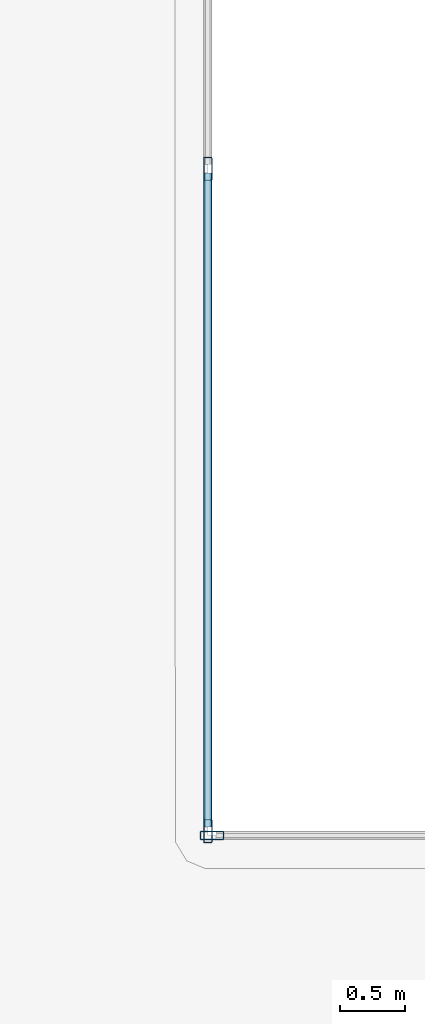
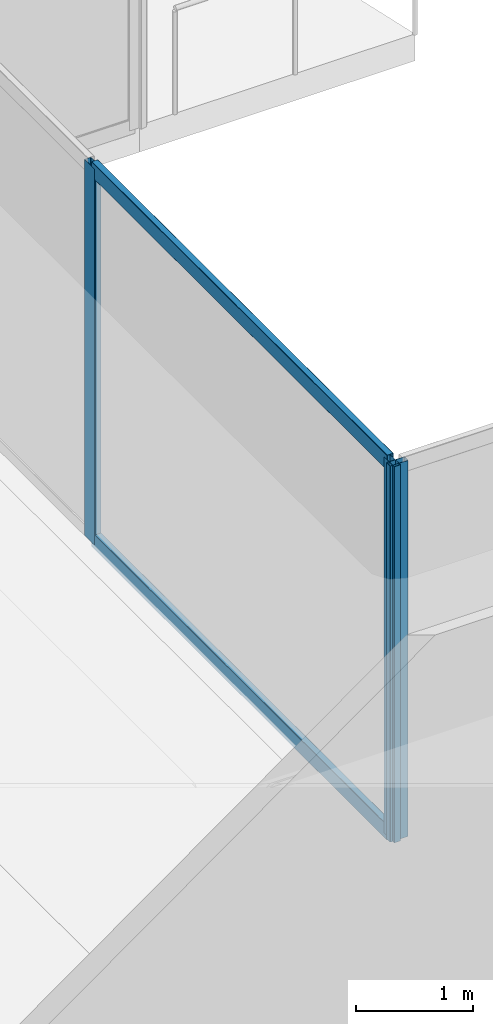
# One storey, part 13 of 46: 5 members, 2 elements without a shape of their own.
"""IFC4 building model written with IfcOpenShell, lengths in metres."""

from ifc_helpers import new_model, si_unit, direction, frame, origin, origin_2d, place, context, subcontext, project, spatial, hollow_rectangle, extrude, material, layer, layer_set, material_profile, profile_set, type_object, element, aggregate, save


model = new_model("IFC4")

# Units and contexts
model_context = context("Model", 3, precision=1e-05, world=origin(), true_north=direction((0.0, 1.0)))
body_context = subcontext(model_context, "Body", "Model", "MODEL_VIEW")
ifc_project = project(units=[si_unit("LENGTHUNIT", "METRE"), si_unit("AREAUNIT", "SQUARE_METRE"), si_unit("VOLUMEUNIT", "CUBIC_METRE"), si_unit("PLANEANGLEUNIT", "RADIAN"), si_unit("MASSUNIT", "GRAM", prefix="KILO")], contexts=[model_context])

# Site, building, storey
site_placement = place(None, origin())
site = spatial("IfcSite", under=ifc_project, at=site_placement, CompositionType="ELEMENT")
building_placement = place(site_placement, origin())
building = spatial("IfcBuilding", under=site, at=building_placement, Name="Qorvath Tower", CompositionType="ELEMENT")
storey_placement = place(building_placement, frame((0.0, 0.0, 87.0)))
storey = spatial("IfcBuildingStorey", under=building, at=storey_placement, Name="L19", CompositionType="ELEMENT", Elevation=87.0)

# Curtain wall, member
ifc_material_1 = material(Name="Anodised aluminium and triple low-E glass", Category="aluminium")
ifc_layer = layer(ifc_material_1, 0.179931640625)
ifc_layer_set = layer_set([ifc_layer], Name="CW-SYS-2")
curtain_wall_type = type_object("IfcCurtainWallType", Name="CW-SYS-2", PredefinedType="NOTDEFINED", material=ifc_layer_set)
curtain_wall_1_placement = place(storey_placement, origin())
curtain_wall_1 = element("IfcCurtainWall", 1, at=curtain_wall_1_placement, inside=storey, type_object=curtain_wall_type, Name="Curtain Wall CW-2 CW-T-L19-8.1", PredefinedType="NOTDEFINED")
ifc_material_2 = material(Name="Anodised aluminium 6063-T6", Category="aluminium")
ifc_material_profile_1 = material_profile(ifc_material_2, hollow_rectangle(XDim=0.06494140625, YDim=0.179931640625, WallThickness=0.00341796875, InnerFilletRadius=0.00341796875, OuterFilletRadius=0.007080078125, at=origin_2d()), Name="CWM 180x65")
ifc_profile_set_1 = profile_set([ifc_material_profile_1], Name="Anodised aluminium 6063-T6")
member_type_1 = type_object("IfcMemberType", Name="CWM-180", PredefinedType="MULLION", material=ifc_profile_set_1)
member_1_placement = place(storey_placement, frame((2.466552734375, -5.140869140625, 0.0), z_axis=(0.0, 0.0, 1.0), x_axis=(0.0, -1.0, 0.0)))
member_1 = element("IfcMember", 2, at=member_1_placement, type_object=member_type_1, Name="CW-2 mullion 2", PredefinedType="MULLION", context=body_context, shape_type="SweptSolid", body=[
    extrude(hollow_rectangle(XDim=0.06494140625, YDim=0.179931640625, WallThickness=0.00341796875, InnerFilletRadius=0.00341796875, OuterFilletRadius=0.007080078125, at=origin_2d()), origin(), (0.0, 0.0, 1.0), 3.919921875),
])
aggregate(curtain_wall_1, [member_1])

# Curtain wall, members
curtain_wall_2_placement = place(storey_placement, origin())
curtain_wall_2 = element("IfcCurtainWall", 3, at=curtain_wall_2_placement, inside=storey, type_object=curtain_wall_type, Name="Curtain Wall CW-2 CW-T-L19-9.1", PredefinedType="NOTDEFINED")
member_2_placement = place(storey_placement, frame((2.43408203125, -5.1083984375, 0.0), z_axis=(0.0, 0.0, 1.0), x_axis=(-1.0, 0.0, 0.0)))
member_2 = element("IfcMember", 4, at=member_2_placement, type_object=member_type_1, Name="CW-2 mullion 1", PredefinedType="MULLION", context=body_context, shape_type="SweptSolid", body=[
    extrude(hollow_rectangle(XDim=0.06494140625, YDim=0.179931640625, WallThickness=0.00341796875, InnerFilletRadius=0.00341796875, OuterFilletRadius=0.007080078125, at=origin_2d()), origin(), (0.0, 0.0, 1.0), 3.919921875),
])
member_3_placement = place(storey_placement, frame((2.43408203125, 0.0, 0.0), z_axis=(0.0, 0.0, 1.0), x_axis=(-1.0, 0.0, 0.0)))
member_3 = element("IfcMember", 5, at=member_3_placement, type_object=member_type_1, Name="CW-2 mullion 2", PredefinedType="MULLION", context=body_context, shape_type="SweptSolid", body=[
    extrude(hollow_rectangle(XDim=0.06494140625, YDim=0.179931640625, WallThickness=0.00341796875, InnerFilletRadius=0.00341796875, OuterFilletRadius=0.007080078125, at=origin_2d()), origin(), (0.0, 0.0, 1.0), 3.919921875),
])
ifc_material_3 = material(Name="Anodised aluminium 6063-T6", Category="aluminium")
ifc_material_profile_2 = material_profile(ifc_material_3, hollow_rectangle(XDim=0.06494140625, YDim=0.159912109375, WallThickness=0.00341796875, InnerFilletRadius=0.00341796875, OuterFilletRadius=0.007080078125, at=origin_2d()), Name="CWT 160x65")
ifc_profile_set_2 = profile_set([ifc_material_profile_2], Name="Anodised aluminium 6063-T6")
member_type_2 = type_object("IfcMemberType", Name="CWT-160", PredefinedType="USERDEFINED", material=ifc_profile_set_2)
member_4_placement = place(storey_placement, frame((2.43408203125, -5.075927734375, 0.032470703125), z_axis=(0.0, 1.0, 0.0), x_axis=(-1.0, 0.0, 0.0)))
member_4 = element("IfcMember", 6, at=member_4_placement, type_object=member_type_2, Name="CW-2 transom 1.1", ObjectType="TRANSOM", PredefinedType="USERDEFINED", context=body_context, shape_type="SweptSolid", body=[
    extrude(hollow_rectangle(XDim=0.06494140625, YDim=0.159912109375, WallThickness=0.00341796875, InnerFilletRadius=0.00341796875, OuterFilletRadius=0.007080078125, at=origin_2d()), origin(), (0.0, 0.0, 1.0), 5.04345703125),
])
member_5_placement = place(storey_placement, frame((2.43408203125, -5.075927734375, 3.887451171875), z_axis=(0.0, 1.0, 0.0), x_axis=(-1.0, 0.0, 0.0)))
member_5 = element("IfcMember", 7, at=member_5_placement, type_object=member_type_2, Name="CW-2 transom 1.2", ObjectType="TRANSOM", PredefinedType="USERDEFINED", context=body_context, shape_type="SweptSolid", body=[
    extrude(hollow_rectangle(XDim=0.06494140625, YDim=0.159912109375, WallThickness=0.00341796875, InnerFilletRadius=0.00341796875, OuterFilletRadius=0.007080078125, at=origin_2d()), origin(), (0.0, 0.0, 1.0), 5.04345703125),
])
aggregate(curtain_wall_2, [member_2, member_3, member_4, member_5])

save(model, "model.ifc")
